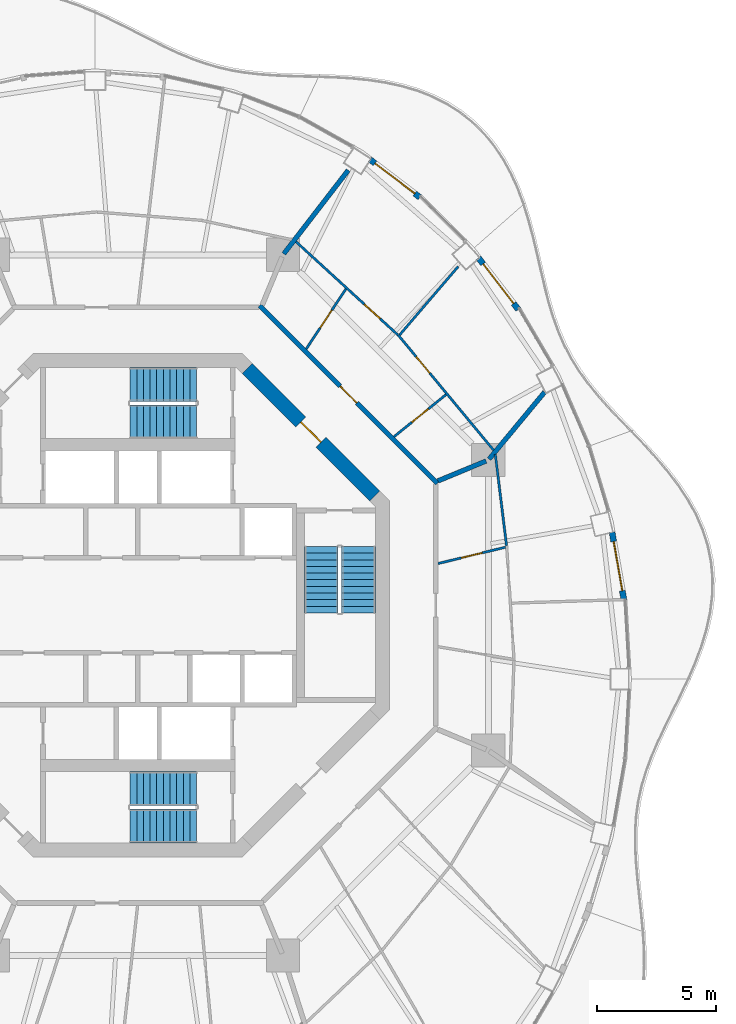
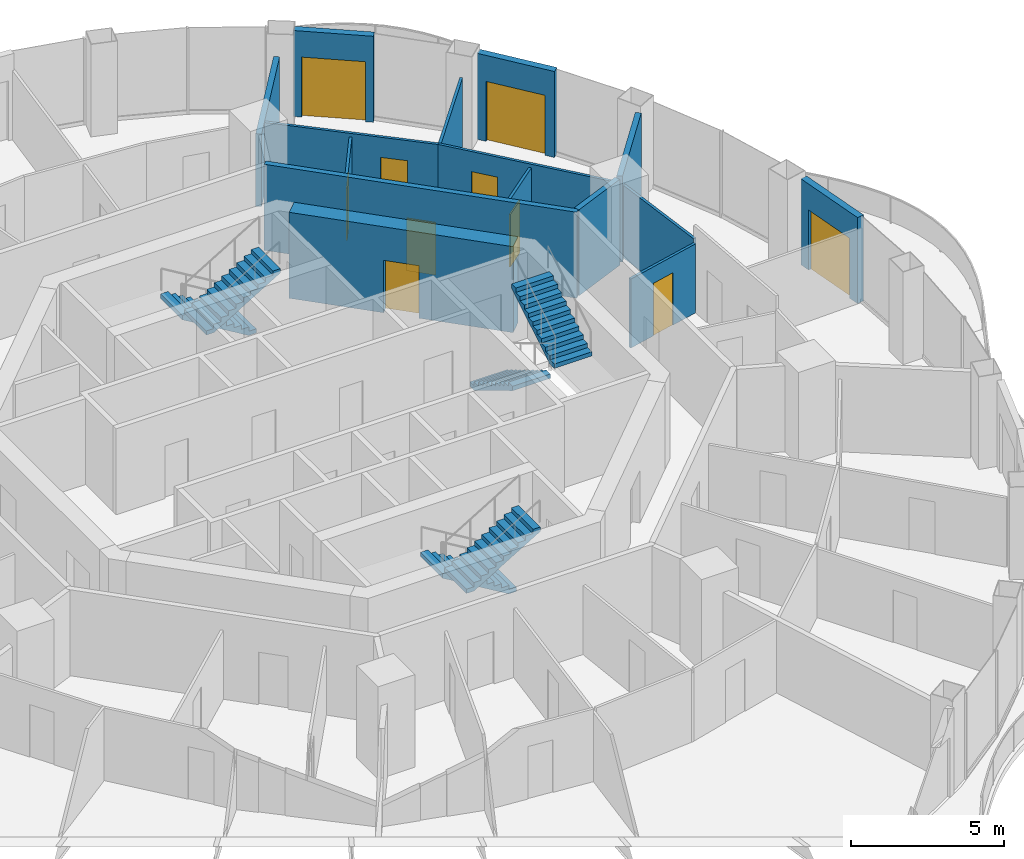
# One storey, part 14 of 17: 15 walls, 10 doors, 6 stair flights, 10 openings, 3 elements without a shape of their own.
"""IFC4 building model written with IfcOpenShell, lengths in metres."""

from ifc_helpers import new_model, si_unit, direction, frame, frame_2d, origin, place, context, subcontext, project, spatial, polyline, rectangle, outline, extrude, material, layer, layer_set, type_object, element, fill, aggregate, save


model = new_model("IFC4")

# Units and contexts
model_context = context("Model", 3, precision=1e-05, world=origin(), true_north=direction((0.0, 1.0)))
body_context = subcontext(model_context, "Body", "Model", "MODEL_VIEW")
ifc_project = project(units=[si_unit("LENGTHUNIT", "METRE"), si_unit("AREAUNIT", "SQUARE_METRE"), si_unit("VOLUMEUNIT", "CUBIC_METRE"), si_unit("PLANEANGLEUNIT", "RADIAN"), si_unit("MASSUNIT", "GRAM", prefix="KILO")], contexts=[model_context])

# Site, building, storey
site_placement = place(None, origin())
site = spatial("IfcSite", under=ifc_project, at=site_placement, CompositionType="ELEMENT")
building_placement = place(site_placement, origin())
building = spatial("IfcBuilding", under=site, at=building_placement, Name="Nagisa Residences", CompositionType="ELEMENT")
storey_placement = place(building_placement, frame((0.0, 0.0, 280.699951171875)))
storey = spatial("IfcBuildingStorey", under=building, at=storey_placement, Name="L71", CompositionType="ELEMENT", Elevation=280.699951171875)

# Walls
ifc_material_1 = material(Name="Gypsum board on steel studs", Category="steel")
ifc_layer_1 = layer(ifc_material_1, 0.199951171875)
ifc_layer_set_1 = layer_set([ifc_layer_1], Name="Apartment compartment wall EI60 200")
wall_type_1 = type_object("IfcWallType", Name="Apartment compartment wall EI60 200", PredefinedType="PARTITIONING", material=ifc_layer_set_1)
wall_1_placement = place(storey_placement, frame((12.6572265625, 5.24267578125, 0.0), z_axis=(0.0, 0.0, 1.0), x_axis=(0.923853160736, 0.382747093259, 0.0)))
element("IfcWall", 1, at=wall_1_placement, inside=storey, type_object=wall_type_1, Name="wall:L71:u00", PredefinedType="PARTITIONING", context=body_context, shape_type="SweptSolid", body=[
    extrude(rectangle(XDim=2.199951171875, YDim=0.199951171875, at=frame_2d((1.10009765625, 0.0))), origin(), (0.0, 0.0, 1.0), 3.43994140625),
])
wall_2_placement = place(storey_placement, frame((14.81396484375, 6.161376953125, 0.0), z_axis=(0.0, 0.0, 1.0), x_axis=(0.638050520313, 0.769994502272, 0.0)))
element("IfcWall", 2, at=wall_2_placement, inside=storey, type_object=wall_type_1, Name="wall:L71:u01", PredefinedType="PARTITIONING", context=body_context, shape_type="SweptSolid", body=[
    extrude(rectangle(XDim=3.6728515625, YDim=0.199951171875, at=frame_2d((1.83642578125, 0.0))), origin(), (0.0, 0.0, 1.0), 3.43994140625),
])
wall_3_placement = place(storey_placement, frame((6.153564453125, 14.821533203125, 0.0), z_axis=(0.0, 0.0, 1.0), x_axis=(0.610687612043, 0.791871606068, 0.0)))
element("IfcWall", 3, at=wall_3_placement, inside=storey, type_object=wall_type_1, Name="wall:L71:u03", PredefinedType="PARTITIONING", context=body_context, shape_type="SweptSolid", body=[
    extrude(rectangle(XDim=4.454833984375, YDim=0.199951171875, at=frame_2d((2.2275390625, 0.0))), origin(), (0.0, 0.0, 1.0), 2.905029296875),
])

# Wall, opening, door
ifc_material_2 = material(Name="Gypsum board on steel studs", Category="steel")
ifc_layer_2 = layer(ifc_material_2, 0.199951171875)
ifc_layer_set_2 = layer_set([ifc_layer_2], Name="Apartment entry wall EI60 200")
wall_type_2 = type_object("IfcWallType", Name="Apartment entry wall EI60 200", PredefinedType="PARTITIONING", material=ifc_layer_set_2)
wall_4_placement = place(storey_placement, frame((12.635498046875, 5.1337890625, 0.0), z_axis=(0.0, 0.0, 1.0), x_axis=(-0.707106781187, 0.707106781187, 0.0)))
wall_4 = element("IfcWall", 4, at=wall_4_placement, inside=storey, type_object=wall_type_2, Name="wall:L71:u15", PredefinedType="PARTITIONING", context=body_context, shape_type="SweptSolid", body=[
    extrude(rectangle(XDim=10.609130859375, YDim=0.199951171875, at=frame_2d((5.3046875, 0.0))), origin(), (0.0, 0.0, 1.0), 3.43994140625),
])
opening_1_placement = place(wall_4_placement, frame((4.804443359375, 0.0, 0.0)))
opening_1 = element("IfcOpeningElement", 5, at=opening_1_placement, cuts=wall_4, Name="Opening L71-U25", PredefinedType="OPENING", context=body_context, shape_type="SweptSolid", body=[
    extrude(rectangle(XDim=1.0, YDim=2.10009765625, at=frame_2d((0.5, 1.050048828125))), frame((0.0, 0.10986328125, 0.0), z_axis=(0.0, -1.0, 0.0), x_axis=(1.0, 0.0, 0.0)), (0.0, 0.0, 1.0), 0.219970703125),
])
ifc_material_3 = material(Name="Timber fire door set", Category="wood")
door_type_1 = type_object("IfcDoorType", Name="Apartment entry door FD30S 1000x2100", OperationType="NOTDEFINED", PredefinedType="DOOR", material=ifc_material_3)
door_1_placement = place(opening_1_placement, frame((1.0, 0.0, 0.0), x_axis=(-1.0, 0.0, 0.0)))
door_1 = element("IfcDoor", 6, at=door_1_placement, inside=storey, type_object=door_type_1, Name="Entry door, Apartment 71E", OperationType="SINGLE_SWING_RIGHT", OverallHeight=2.10009765625, OverallWidth=1.0, PredefinedType="DOOR", context=body_context, shape_type="SweptSolid", body=[
    extrude(rectangle(XDim=1.0, YDim=2.10009765625, at=frame_2d((0.5, 1.050048828125))), frame((0.0, 0.02490234375, 0.0), z_axis=(0.0, -1.0, 0.0), x_axis=(1.0, 0.0, 0.0)), (0.0, 0.0, 1.0), 0.050048828125),
])
fill(opening_1, door_1)

ifc_material_4 = material(Name="Gypsum board on steel studs", Category="steel")
ifc_layer_3 = layer(ifc_material_4, 0.10009765625)
ifc_layer_set_3 = layer_set([ifc_layer_3], Name="Apartment partition 100")
wall_type_3 = type_object("IfcWallType", Name="Apartment partition 100", PredefinedType="PARTITIONING", material=ifc_layer_set_3)
wall_5_placement = place(storey_placement, frame((12.661865234375, 1.75830078125, 0.0), z_axis=(0.0, 0.0, 1.0), x_axis=(0.972004827836, 0.234960879007, 0.0)))
wall_5 = element("IfcWall", 7, at=wall_5_placement, inside=storey, type_object=wall_type_3, Name="wall:L71:u26", PredefinedType="PARTITIONING", context=body_context, shape_type="SweptSolid", body=[
    extrude(rectangle(XDim=2.93017578125, YDim=0.10009765625, at=frame_2d((1.465087890625, 0.0))), origin(), (0.0, 0.0, 1.0), 2.761962890625),
])
opening_2_placement = place(wall_5_placement, frame((1.014892578125, 0.0, 0.0)))
opening_2 = element("IfcOpeningElement", 8, at=opening_2_placement, cuts=wall_5, Name="Opening L71-U22", PredefinedType="OPENING", context=body_context, shape_type="SweptSolid", body=[
    extrude(rectangle(XDim=0.89990234375, YDim=2.10009765625, at=frame_2d((0.449951171875, 1.050048828125))), frame((0.0, 0.06005859375, 0.0), z_axis=(0.0, -1.0, 0.0), x_axis=(1.0, 0.0, 0.0)), (0.0, 0.0, 1.0), 0.1201171875),
])
ifc_material_5 = material(Name="Timber door set", Category="wood")
door_type_2 = type_object("IfcDoorType", Name="Apartment door 900x2100", OperationType="NOTDEFINED", PredefinedType="DOOR", material=ifc_material_5)
door_2_placement = place(opening_2_placement, origin())
door_2 = element("IfcDoor", 9, at=door_2_placement, inside=storey, type_object=door_type_2, Name="Door to family bathroom, Apartment 71D", OperationType="SINGLE_SWING_RIGHT", OverallHeight=2.10009765625, OverallWidth=0.89990234375, PredefinedType="DOOR", context=body_context, shape_type="SweptSolid", body=[
    extrude(rectangle(XDim=0.89990234375, YDim=2.10009765625, at=frame_2d((0.449951171875, 1.050048828125))), frame((0.0, 0.02490234375, 0.0), z_axis=(0.0, -1.0, 0.0), x_axis=(1.0, 0.0, 0.0)), (0.0, 0.0, 1.0), 0.050048828125),
])
fill(opening_2, door_2)

# Wall
wall_6_placement = place(storey_placement, frame((15.552490234375, 2.50830078125, 0.0), z_axis=(0.0, 0.0, 1.0), x_axis=(-0.12196293976, 0.992534654974, 0.0)))
element("IfcWall", 10, at=wall_6_placement, inside=storey, type_object=wall_type_3, Name="wall:L71:u27", PredefinedType="PARTITIONING", context=body_context, shape_type="SweptSolid", body=[
    extrude(rectangle(XDim=3.887451171875, YDim=0.10009765625, at=frame_2d((1.94384765625, 0.0))), origin(), (0.0, 0.0, 1.0), 2.905029296875),
])

# Wall, opening, door
wall_7_placement = place(storey_placement, frame((15.00244140625, 6.54296875, 0.0), z_axis=(0.0, 0.0, 1.0), x_axis=(-0.637932656528, 0.770092154054, 0.0)))
wall_7 = element("IfcWall", 11, at=wall_7_placement, inside=storey, type_object=wall_type_3, Name="wall:L71:u28", PredefinedType="PARTITIONING", context=body_context, shape_type="SweptSolid", body=[
    extrude(rectangle(XDim=6.310546875, YDim=0.10009765625, at=frame_2d((3.1552734375, 0.0))), origin(), (0.0, 0.0, 1.0), 2.905029296875),
])
opening_3_placement = place(wall_7_placement, frame((4.220458984375, 0.0, 0.0)))
opening_3 = element("IfcOpeningElement", 12, at=opening_3_placement, cuts=wall_7, Name="Opening L71-U28", PredefinedType="OPENING", context=body_context, shape_type="SweptSolid", body=[
    extrude(rectangle(XDim=0.89990234375, YDim=2.10009765625, at=frame_2d((0.449951171875, 1.050048828125))), frame((0.0, 0.06005859375, 0.0), z_axis=(0.0, -1.0, 0.0), x_axis=(1.0, 0.0, 0.0)), (0.0, 0.0, 1.0), 0.1201171875),
])
door_3_placement = place(opening_3_placement, frame((0.89990234375, 0.0, 0.0), x_axis=(-1.0, 0.0, 0.0)))
door_3 = element("IfcDoor", 13, at=door_3_placement, inside=storey, type_object=door_type_2, Name="Door to master bedroom, Apartment 71E", OperationType="SINGLE_SWING_LEFT", OverallHeight=2.10009765625, OverallWidth=0.89990234375, PredefinedType="DOOR", context=body_context, shape_type="SweptSolid", body=[
    extrude(rectangle(XDim=0.89990234375, YDim=2.10009765625, at=frame_2d((0.449951171875, 1.050048828125))), frame((0.0, 0.02490234375, 0.0), z_axis=(0.0, -1.0, 0.0), x_axis=(1.0, 0.0, 0.0)), (0.0, 0.0, 1.0), 0.050048828125),
])
fill(opening_3, door_3)

wall_8_placement = place(storey_placement, frame((10.802490234375, 7.107421875, 0.0), z_axis=(0.0, 0.0, 1.0), x_axis=(0.777526610395, 0.628850037868, 0.0)))
wall_8 = element("IfcWall", 14, at=wall_8_placement, inside=storey, type_object=wall_type_3, Name="wall:L71:u29", PredefinedType="PARTITIONING", context=body_context, shape_type="SweptSolid", body=[
    extrude(rectangle(XDim=2.824462890625, YDim=0.10009765625, at=frame_2d((1.412109375, 0.0))), origin(), (0.0, 0.0, 1.0), 2.761962890625),
])
opening_4_placement = place(wall_8_placement, frame((0.962158203125, 0.0, 0.0)))
opening_4 = element("IfcOpeningElement", 15, at=opening_4_placement, cuts=wall_8, Name="Opening L71-U26", PredefinedType="OPENING", context=body_context, shape_type="SweptSolid", body=[
    extrude(rectangle(XDim=0.89990234375, YDim=2.10009765625, at=frame_2d((0.449951171875, 1.050048828125))), frame((0.0, 0.06005859375, 0.0), z_axis=(0.0, -1.0, 0.0), x_axis=(1.0, 0.0, 0.0)), (0.0, 0.0, 1.0), 0.1201171875),
])
door_4_placement = place(opening_4_placement, frame((0.89990234375, 0.0, 0.0), x_axis=(-1.0, 0.0, 0.0)))
door_4 = element("IfcDoor", 16, at=door_4_placement, inside=storey, type_object=door_type_2, Name="Door to family bathroom, Apartment 71E", OperationType="SINGLE_SWING_LEFT", OverallHeight=2.10009765625, OverallWidth=0.89990234375, PredefinedType="DOOR", context=body_context, shape_type="SweptSolid", body=[
    extrude(rectangle(XDim=0.89990234375, YDim=2.10009765625, at=frame_2d((0.449951171875, 1.050048828125))), frame((0.0, 0.02490234375, 0.0), z_axis=(0.0, -1.0, 0.0), x_axis=(1.0, 0.0, 0.0)), (0.0, 0.0, 1.0), 0.050048828125),
])
fill(opening_4, door_4)

# Wall
wall_9_placement = place(storey_placement, frame((11.041259765625, 11.402099609375, 0.0), z_axis=(0.0, 0.0, 1.0), x_axis=(0.650558544325, 0.759456108282, 0.0)))
element("IfcWall", 17, at=wall_9_placement, inside=storey, type_object=wall_type_3, Name="wall:L71:u30", PredefinedType="PARTITIONING", context=body_context, shape_type="SweptSolid", body=[
    extrude(rectangle(XDim=3.800048828125, YDim=0.10009765625, at=frame_2d((1.89990234375, 0.0))), origin(), (0.0, 0.0, 1.0), 2.905029296875),
])

# Wall, opening, door
wall_10_placement = place(storey_placement, frame((10.9716796875, 11.397705078125, 0.0), z_axis=(0.0, 0.0, 1.0), x_axis=(-0.737830272434, 0.674986288069, 0.0)))
wall_10 = element("IfcWall", 18, at=wall_10_placement, inside=storey, type_object=wall_type_3, Name="wall:L71:u31", PredefinedType="PARTITIONING", context=body_context, shape_type="SweptSolid", body=[
    extrude(rectangle(XDim=5.827392578125, YDim=0.10009765625, at=frame_2d((2.91357421875, 0.0))), origin(), (0.0, 0.0, 1.0), 2.905029296875),
])
opening_5_placement = place(wall_10_placement, frame((1.019287109375, 0.0, 0.0)))
opening_5 = element("IfcOpeningElement", 19, at=opening_5_placement, cuts=wall_10, Name="Opening L71-U29", PredefinedType="OPENING", context=body_context, shape_type="SweptSolid", body=[
    extrude(rectangle(XDim=0.89990234375, YDim=2.10009765625, at=frame_2d((0.449951171875, 1.050048828125))), frame((0.0, 0.06005859375, 0.0), z_axis=(0.0, -1.0, 0.0), x_axis=(1.0, 0.0, 0.0)), (0.0, 0.0, 1.0), 0.1201171875),
])
door_5_placement = place(opening_5_placement, frame((0.89990234375, 0.0, 0.0), x_axis=(-1.0, 0.0, 0.0)))
door_5 = element("IfcDoor", 20, at=door_5_placement, inside=storey, type_object=door_type_2, Name="Door to kitchen, Apartment 71E", OperationType="SINGLE_SWING_RIGHT", OverallHeight=2.10009765625, OverallWidth=0.89990234375, PredefinedType="DOOR", context=body_context, shape_type="SweptSolid", body=[
    extrude(rectangle(XDim=0.89990234375, YDim=2.10009765625, at=frame_2d((0.449951171875, 1.050048828125))), frame((0.0, 0.02490234375, 0.0), z_axis=(0.0, -1.0, 0.0), x_axis=(1.0, 0.0, 0.0)), (0.0, 0.0, 1.0), 0.050048828125),
])
fill(opening_5, door_5)

wall_11_placement = place(storey_placement, frame((7.099853515625, 10.80810546875, 0.0), z_axis=(0.0, 0.0, 1.0), x_axis=(0.55204370542, 0.833815175747, 0.0)))
wall_11 = element("IfcWall", 21, at=wall_11_placement, inside=storey, type_object=wall_type_3, Name="wall:L71:u32", PredefinedType="PARTITIONING", context=body_context, shape_type="SweptSolid", body=[
    extrude(rectangle(XDim=3.0361328125, YDim=0.10009765625, at=frame_2d((1.51806640625, 0.0))), origin(), (0.0, 0.0, 1.0), 2.761962890625),
])
opening_6_placement = place(wall_11_placement, frame((1.068115234375, 0.0, 0.0)))
opening_6 = element("IfcOpeningElement", 22, at=opening_6_placement, cuts=wall_11, Name="Opening L71-U27", PredefinedType="OPENING", context=body_context, shape_type="SweptSolid", body=[
    extrude(rectangle(XDim=0.89990234375, YDim=2.10009765625, at=frame_2d((0.449951171875, 1.050048828125))), frame((0.0, 0.06005859375, 0.0), z_axis=(0.0, -1.0, 0.0), x_axis=(1.0, 0.0, 0.0)), (0.0, 0.0, 1.0), 0.1201171875),
])
door_6_placement = place(opening_6_placement, origin())
door_6 = element("IfcDoor", 23, at=door_6_placement, inside=storey, type_object=door_type_2, Name="Door to family bathroom, Apartment 71E", OperationType="SINGLE_SWING_LEFT", OverallHeight=2.10009765625, OverallWidth=0.89990234375, PredefinedType="DOOR", context=body_context, shape_type="SweptSolid", body=[
    extrude(rectangle(XDim=0.89990234375, YDim=2.10009765625, at=frame_2d((0.449951171875, 1.050048828125))), frame((0.0, 0.02490234375, 0.0), z_axis=(0.0, -1.0, 0.0), x_axis=(1.0, 0.0, 0.0)), (0.0, 0.0, 1.0), 0.050048828125),
])
fill(opening_6, door_6)

ifc_material_6 = material(Name="Precast concrete C40/50", Category="concrete")
ifc_layer_4 = layer(ifc_material_6, 0.25)
ifc_layer_set_4 = layer_set([ifc_layer_4], Name="BALCONY DOOR WALL 250")
wall_type_4 = type_object("IfcWallType", Name="BALCONY DOOR WALL 250", PredefinedType="SOLIDWALL", material=ifc_layer_set_4)
wall_12_placement = place(storey_placement, frame((20.003662109375, 3.07958984375, 0.0), z_axis=(0.0, 0.0, 1.0), x_axis=(0.172182411767, -0.985065082661, 0.0)))
wall_12 = element("IfcWall", 24, at=wall_12_placement, inside=storey, type_object=wall_type_4, Name="wall:L71:bay01", PredefinedType="SOLIDWALL", context=body_context, shape_type="SweptSolid", body=[
    extrude(rectangle(XDim=2.902587890625, YDim=0.25, at=frame_2d((1.451171875, 0.0))), origin(), (0.0, 0.0, 1.0), 3.43994140625),
])
opening_7_placement = place(wall_12_placement, frame((0.401123046875, 0.0, 0.0)))
opening_7 = element("IfcOpeningElement", 25, at=opening_7_placement, cuts=wall_12, Name="Opening BD-L71-01", PredefinedType="OPENING", context=body_context, shape_type="SweptSolid", body=[
    extrude(rectangle(XDim=2.10009765625, YDim=2.39990234375, at=frame_2d((1.050048828125, 1.199951171875))), frame((0.0, 0.135009765625, 0.0), z_axis=(0.0, -1.0, 0.0), x_axis=(1.0, 0.0, 0.0)), (0.0, 0.0, 1.0), 0.27001953125),
])
ifc_material_7 = material(Name="Aluminium and clear glass", Category="aluminium")
door_type_3 = type_object("IfcDoorType", Name="BALCONY SLIDING DOOR 2100x2400", OperationType="SLIDING_TO_LEFT", PredefinedType="DOOR", material=ifc_material_7)
door_7_placement = place(opening_7_placement, origin())
door_7 = element("IfcDoor", 26, at=door_7_placement, inside=storey, type_object=door_type_3, Name="door:L71:bay01", OperationType="SLIDING_TO_LEFT", OverallHeight=2.39990234375, OverallWidth=2.10009765625, PredefinedType="DOOR", context=body_context, shape_type="SweptSolid", body=[
    extrude(rectangle(XDim=2.10009765625, YDim=2.39990234375, at=frame_2d((1.050048828125, 1.199951171875))), frame((0.0, 0.02490234375, 0.0), z_axis=(0.0, -1.0, 0.0), x_axis=(1.0, 0.0, 0.0)), (0.0, 0.0, 1.0), 0.050048828125),
])
fill(opening_7, door_7)

wall_13_placement = place(storey_placement, frame((14.370361328125, 14.650390625, 0.0), z_axis=(0.0, 0.0, 1.0), x_axis=(0.610475325435, -0.79203527512, 0.0)))
wall_13 = element("IfcWall", 27, at=wall_13_placement, inside=storey, type_object=wall_type_4, Name="wall:L71:bay05", PredefinedType="SOLIDWALL", context=body_context, shape_type="SweptSolid", body=[
    extrude(rectangle(XDim=2.745849609375, YDim=0.25, at=frame_2d((1.373046875, 0.0))), origin(), (0.0, 0.0, 1.0), 3.43994140625),
])
opening_8_placement = place(wall_13_placement, frame((0.322998046875, 0.0, 0.0)))
opening_8 = element("IfcOpeningElement", 28, at=opening_8_placement, cuts=wall_13, Name="Opening BD-L71-02", PredefinedType="OPENING", context=body_context, shape_type="SweptSolid", body=[
    extrude(rectangle(XDim=2.10009765625, YDim=2.39990234375, at=frame_2d((1.050048828125, 1.199951171875))), frame((0.0, 0.135009765625, 0.0), z_axis=(0.0, -1.0, 0.0), x_axis=(1.0, 0.0, 0.0)), (0.0, 0.0, 1.0), 0.27001953125),
])
door_8_placement = place(opening_8_placement, origin())
door_8 = element("IfcDoor", 29, at=door_8_placement, inside=storey, type_object=door_type_3, Name="door:L71:bay05", OperationType="SLIDING_TO_LEFT", OverallHeight=2.39990234375, OverallWidth=2.10009765625, PredefinedType="DOOR", context=body_context, shape_type="SweptSolid", body=[
    extrude(rectangle(XDim=2.10009765625, YDim=2.39990234375, at=frame_2d((1.050048828125, 1.199951171875))), frame((0.0, 0.02490234375, 0.0), z_axis=(0.0, -1.0, 0.0), x_axis=(1.0, 0.0, 0.0)), (0.0, 0.0, 1.0), 0.050048828125),
])
fill(opening_8, door_8)

wall_14_placement = place(storey_placement, frame((9.79248046875, 18.802001953125, 0.0), z_axis=(0.0, 0.0, 1.0), x_axis=(0.796010739377, -0.605282498339, 0.0)))
wall_14 = element("IfcWall", 30, at=wall_14_placement, inside=storey, type_object=wall_type_4, Name="wall:L71:bay07", PredefinedType="SOLIDWALL", context=body_context, shape_type="SweptSolid", body=[
    extrude(rectangle(XDim=2.640625, YDim=0.25, at=frame_2d((1.3203125, 0.0))), origin(), (0.0, 0.0, 1.0), 3.43994140625),
])
opening_9_placement = place(wall_14_placement, frame((0.270263671875, 0.0, 0.0)))
opening_9 = element("IfcOpeningElement", 31, at=opening_9_placement, cuts=wall_14, Name="Opening BD-L71-03", PredefinedType="OPENING", context=body_context, shape_type="SweptSolid", body=[
    extrude(rectangle(XDim=2.10009765625, YDim=2.39990234375, at=frame_2d((1.050048828125, 1.199951171875))), frame((0.0, 0.135009765625, 0.0), z_axis=(0.0, -1.0, 0.0), x_axis=(1.0, 0.0, 0.0)), (0.0, 0.0, 1.0), 0.27001953125),
])
door_9_placement = place(opening_9_placement, origin())
door_9 = element("IfcDoor", 32, at=door_9_placement, inside=storey, type_object=door_type_3, Name="door:L71:bay07", OperationType="SLIDING_TO_LEFT", OverallHeight=2.39990234375, OverallWidth=2.10009765625, PredefinedType="DOOR", context=body_context, shape_type="SweptSolid", body=[
    extrude(rectangle(XDim=2.10009765625, YDim=2.39990234375, at=frame_2d((1.050048828125, 1.199951171875))), frame((0.0, 0.02490234375, 0.0), z_axis=(0.0, -1.0, 0.0), x_axis=(1.0, 0.0, 0.0)), (0.0, 0.0, 1.0), 0.050048828125),
])
fill(opening_9, door_9)

ifc_material_8 = material(Name="Concrete C60", Category="concrete")
ifc_layer_5 = layer(ifc_material_8, 0.60009765625)
ifc_layer_set_5 = layer_set([ifc_layer_5], Name="Core shear wall 600")
wall_type_5 = type_object("IfcWallType", Name="Core shear wall 600", PredefinedType="SHEAR", material=ifc_layer_set_5)
wall_15_placement = place(storey_placement, frame((9.98828125, 4.613037109375, 0.0), z_axis=(0.0, 0.0, 1.0), x_axis=(-0.707106781187, 0.707106781187, 0.0)))
wall_15 = element("IfcWall", 33, at=wall_15_placement, inside=storey, type_object=wall_type_5, Name="wall:L71:core:flat1", PredefinedType="SHEAR", context=body_context, shape_type="SweptSolid", body=[
    extrude(rectangle(XDim=7.601806640625, YDim=0.60009765625, at=frame_2d((3.80078125, 0.0))), origin(), (0.0, 0.0, 1.0), 3.43994140625),
])
opening_10_placement = place(wall_15_placement, frame((3.200927734375, 0.0, 0.0)))
opening_10 = element("IfcOpeningElement", 34, at=opening_10_placement, cuts=wall_15, Name="Opening L71-C21", PredefinedType="OPENING", context=body_context, shape_type="SweptSolid", body=[
    extrude(rectangle(XDim=1.199951171875, YDim=2.10009765625, at=frame_2d((0.60009765625, 1.050048828125))), frame((0.0, 0.31005859375, 0.0), z_axis=(0.0, -1.0, 0.0), x_axis=(1.0, 0.0, 0.0)), (0.0, 0.0, 1.0), 0.6201171875),
])
ifc_material_9 = material(Name="Steel fire door", Category="steel")
door_type_4 = type_object("IfcDoorType", Name="Fire door EI60 1200x2100 single swing", OperationType="NOTDEFINED", PredefinedType="DOOR", material=ifc_material_9)
door_10_placement = place(opening_10_placement, origin())
door_10 = element("IfcDoor", 35, at=door_10_placement, inside=storey, type_object=door_type_4, Name="Firefighting lobby 1 door L71", OperationType="SINGLE_SWING_RIGHT", OverallHeight=2.10009765625, OverallWidth=1.199951171875, PredefinedType="DOOR", context=body_context, shape_type="SweptSolid", body=[
    extrude(rectangle(XDim=1.199951171875, YDim=2.10009765625, at=frame_2d((0.60009765625, 1.050048828125))), frame((0.0, 0.02490234375, 0.0), z_axis=(0.0, -1.0, 0.0), x_axis=(1.0, 0.0, 0.0)), (0.0, 0.0, 1.0), 0.050048828125),
])
fill(opening_10, door_10)

# Stair, stair flights
ifc_material_10 = material(Name="Concrete C60", Category="concrete")
stair_type = type_object("IfcStairType", Name="Exit stair", PredefinedType="HALF_TURN_STAIR", material=ifc_material_10)
stair_1_placement = place(storey_placement, origin())
stair_1 = element("IfcStair", 36, at=stair_1_placement, inside=storey, type_object=stair_type, Name="L71 Exit stair E", PredefinedType="HALF_TURN_STAIR")
ifc_material_11 = material(Name="Concrete C60", Category="concrete")
stair_flight_type = type_object("IfcStairFlightType", Name="Exit stair flight", PredefinedType="STRAIGHT", material=ifc_material_11)
stair_flight_1_placement = place(storey_placement, frame((7.737060546875, 2.47509765625, 0.0), z_axis=(0.0, 0.0, 1.0), x_axis=(0.0, -1.0, 0.0)))
stair_flight_1 = element("IfcStairFlight", 37, at=stair_flight_1_placement, type_object=stair_flight_type, Name="ST-E flight 1", NumberOfRisers=11, NumberOfTreads=10, PredefinedType="STRAIGHT", RiserHeight=0.168181818, TreadLength=0.28, context=body_context, shape_type="SweptSolid", body=[
    extrude(outline(polyline([(0.0, 0.0), (0.0, 0.168212890625), (0.280029296875, 0.168212890625), (0.280029296875, 0.33642578125), (0.56005859375, 0.33642578125), (0.56005859375, 0.504638671875), (0.840087890625, 0.504638671875), (0.840087890625, 0.672607421875), (1.1201171875, 0.672607421875), (1.1201171875, 0.8408203125), (1.39990234375, 0.8408203125), (1.39990234375, 1.009033203125), (1.679931640625, 1.009033203125), (1.679931640625, 1.17724609375), (1.9599609375, 1.17724609375), (1.9599609375, 1.345458984375), (2.239990234375, 1.345458984375), (2.239990234375, 1.513671875), (2.52001953125, 1.513671875), (2.52001953125, 1.681884765625), (2.800048828125, 1.681884765625), (2.800048828125, 1.85009765625), (2.800048828125, 1.5068359375), (0.291015625, 0.0), (0.0, 0.0)])), frame((0.0, 0.71240234375, 0.0), z_axis=(0.0, -1.0, 0.0), x_axis=(1.0, 0.0, 0.0)), (0.0, 0.0, 1.0), 1.425048828125),
])
stair_flight_2_placement = place(storey_placement, frame((9.31201171875, -0.324951171875, 1.85009765625), z_axis=(0.0, 0.0, 1.0), x_axis=(0.0, 1.0, 0.0)))
stair_flight_2 = element("IfcStairFlight", 38, at=stair_flight_2_placement, type_object=stair_flight_type, Name="ST-E flight 2", NumberOfRisers=11, NumberOfTreads=10, PredefinedType="STRAIGHT", RiserHeight=0.168181818, TreadLength=0.28, context=body_context, shape_type="SweptSolid", body=[
    extrude(outline(polyline([(0.0, 0.0), (0.0, 0.168212890625), (0.280029296875, 0.168212890625), (0.280029296875, 0.33642578125), (0.56005859375, 0.33642578125), (0.56005859375, 0.504638671875), (0.840087890625, 0.504638671875), (0.840087890625, 0.672607421875), (1.1201171875, 0.672607421875), (1.1201171875, 0.8408203125), (1.39990234375, 0.8408203125), (1.39990234375, 1.009033203125), (1.679931640625, 1.009033203125), (1.679931640625, 1.17724609375), (1.9599609375, 1.17724609375), (1.9599609375, 1.345458984375), (2.239990234375, 1.345458984375), (2.239990234375, 1.513671875), (2.52001953125, 1.513671875), (2.52001953125, 1.681884765625), (2.800048828125, 1.681884765625), (2.800048828125, 1.85009765625), (2.800048828125, 1.5068359375), (0.291015625, 0.0), (0.0, 0.0)])), frame((0.0, 0.71240234375, 0.0), z_axis=(0.0, -1.0, 0.0), x_axis=(1.0, 0.0, 0.0)), (0.0, 0.0, 1.0), 1.425048828125),
])
aggregate(stair_1, [stair_flight_1, stair_flight_2])

stair_2_placement = place(storey_placement, origin())
stair_2 = element("IfcStair", 39, at=stair_2_placement, inside=storey, type_object=stair_type, Name="L71 Exit stair N", PredefinedType="HALF_TURN_STAIR")
stair_flight_3_placement = place(storey_placement, frame((2.47509765625, 9.31201171875, 0.0), z_axis=(0.0, 0.0, 1.0), x_axis=(-1.0, 0.0, 0.0)))
stair_flight_3 = element("IfcStairFlight", 40, at=stair_flight_3_placement, type_object=stair_flight_type, Name="ST-N flight 1", NumberOfRisers=11, NumberOfTreads=10, PredefinedType="STRAIGHT", RiserHeight=0.168181818, TreadLength=0.28, context=body_context, shape_type="SweptSolid", body=[
    extrude(outline(polyline([(0.0, 0.0), (0.0, 0.168212890625), (0.280029296875, 0.168212890625), (0.280029296875, 0.33642578125), (0.56005859375, 0.33642578125), (0.56005859375, 0.504638671875), (0.840087890625, 0.504638671875), (0.840087890625, 0.672607421875), (1.1201171875, 0.672607421875), (1.1201171875, 0.8408203125), (1.39990234375, 0.8408203125), (1.39990234375, 1.009033203125), (1.679931640625, 1.009033203125), (1.679931640625, 1.17724609375), (1.9599609375, 1.17724609375), (1.9599609375, 1.345458984375), (2.239990234375, 1.345458984375), (2.239990234375, 1.513671875), (2.52001953125, 1.513671875), (2.52001953125, 1.681884765625), (2.800048828125, 1.681884765625), (2.800048828125, 1.85009765625), (2.800048828125, 1.5068359375), (0.291015625, 0.0), (0.0, 0.0)])), frame((0.0, 0.71240234375, 0.0), z_axis=(0.0, -1.0, 0.0), x_axis=(1.0, 0.0, 0.0)), (0.0, 0.0, 1.0), 1.425048828125),
])
stair_flight_4_placement = place(storey_placement, frame((-0.324951171875, 7.737060546875, 1.85009765625), z_axis=(0.0, 0.0, 1.0), x_axis=(1.0, 0.0, 0.0)))
stair_flight_4 = element("IfcStairFlight", 41, at=stair_flight_4_placement, type_object=stair_flight_type, Name="ST-N flight 2", NumberOfRisers=11, NumberOfTreads=10, PredefinedType="STRAIGHT", RiserHeight=0.168181818, TreadLength=0.28, context=body_context, shape_type="SweptSolid", body=[
    extrude(outline(polyline([(0.0, 0.0), (0.0, 0.168212890625), (0.280029296875, 0.168212890625), (0.280029296875, 0.33642578125), (0.56005859375, 0.33642578125), (0.56005859375, 0.504638671875), (0.840087890625, 0.504638671875), (0.840087890625, 0.672607421875), (1.1201171875, 0.672607421875), (1.1201171875, 0.8408203125), (1.39990234375, 0.8408203125), (1.39990234375, 1.009033203125), (1.679931640625, 1.009033203125), (1.679931640625, 1.17724609375), (1.9599609375, 1.17724609375), (1.9599609375, 1.345458984375), (2.239990234375, 1.345458984375), (2.239990234375, 1.513671875), (2.52001953125, 1.513671875), (2.52001953125, 1.681884765625), (2.800048828125, 1.681884765625), (2.800048828125, 1.85009765625), (2.800048828125, 1.5068359375), (0.291015625, 0.0), (0.0, 0.0)])), frame((0.0, 0.71240234375, 0.0), z_axis=(0.0, -1.0, 0.0), x_axis=(1.0, 0.0, 0.0)), (0.0, 0.0, 1.0), 1.425048828125),
])
aggregate(stair_2, [stair_flight_3, stair_flight_4])

stair_3_placement = place(storey_placement, origin())
stair_3 = element("IfcStair", 42, at=stair_3_placement, inside=storey, type_object=stair_type, Name="L71 Exit stair S", PredefinedType="HALF_TURN_STAIR")
stair_flight_5_placement = place(storey_placement, frame((2.47509765625, -7.737060546875, 0.0), z_axis=(0.0, 0.0, 1.0), x_axis=(-1.0, 0.0, 0.0)))
stair_flight_5 = element("IfcStairFlight", 43, at=stair_flight_5_placement, type_object=stair_flight_type, Name="ST-S flight 1", NumberOfRisers=11, NumberOfTreads=10, PredefinedType="STRAIGHT", RiserHeight=0.168181818, TreadLength=0.28, context=body_context, shape_type="SweptSolid", body=[
    extrude(outline(polyline([(0.0, 0.0), (0.0, 0.168212890625), (0.280029296875, 0.168212890625), (0.280029296875, 0.33642578125), (0.56005859375, 0.33642578125), (0.56005859375, 0.504638671875), (0.840087890625, 0.504638671875), (0.840087890625, 0.672607421875), (1.1201171875, 0.672607421875), (1.1201171875, 0.8408203125), (1.39990234375, 0.8408203125), (1.39990234375, 1.009033203125), (1.679931640625, 1.009033203125), (1.679931640625, 1.17724609375), (1.9599609375, 1.17724609375), (1.9599609375, 1.345458984375), (2.239990234375, 1.345458984375), (2.239990234375, 1.513671875), (2.52001953125, 1.513671875), (2.52001953125, 1.681884765625), (2.800048828125, 1.681884765625), (2.800048828125, 1.85009765625), (2.800048828125, 1.5068359375), (0.291015625, 0.0), (0.0, 0.0)])), frame((0.0, 0.71240234375, 0.0), z_axis=(0.0, -1.0, 0.0), x_axis=(1.0, 0.0, 0.0)), (0.0, 0.0, 1.0), 1.425048828125),
])
stair_flight_6_placement = place(storey_placement, frame((-0.324951171875, -9.31201171875, 1.85009765625), z_axis=(0.0, 0.0, 1.0), x_axis=(1.0, 0.0, 0.0)))
stair_flight_6 = element("IfcStairFlight", 44, at=stair_flight_6_placement, type_object=stair_flight_type, Name="ST-S flight 2", NumberOfRisers=11, NumberOfTreads=10, PredefinedType="STRAIGHT", RiserHeight=0.168181818, TreadLength=0.28, context=body_context, shape_type="SweptSolid", body=[
    extrude(outline(polyline([(0.0, 0.0), (0.0, 0.168212890625), (0.280029296875, 0.168212890625), (0.280029296875, 0.33642578125), (0.56005859375, 0.33642578125), (0.56005859375, 0.504638671875), (0.840087890625, 0.504638671875), (0.840087890625, 0.672607421875), (1.1201171875, 0.672607421875), (1.1201171875, 0.8408203125), (1.39990234375, 0.8408203125), (1.39990234375, 1.009033203125), (1.679931640625, 1.009033203125), (1.679931640625, 1.17724609375), (1.9599609375, 1.17724609375), (1.9599609375, 1.345458984375), (2.239990234375, 1.345458984375), (2.239990234375, 1.513671875), (2.52001953125, 1.513671875), (2.52001953125, 1.681884765625), (2.800048828125, 1.681884765625), (2.800048828125, 1.85009765625), (2.800048828125, 1.5068359375), (0.291015625, 0.0), (0.0, 0.0)])), frame((0.0, 0.71240234375, 0.0), z_axis=(0.0, -1.0, 0.0), x_axis=(1.0, 0.0, 0.0)), (0.0, 0.0, 1.0), 1.425048828125),
])
aggregate(stair_3, [stair_flight_5, stair_flight_6])

save(model, "model.ifc")
